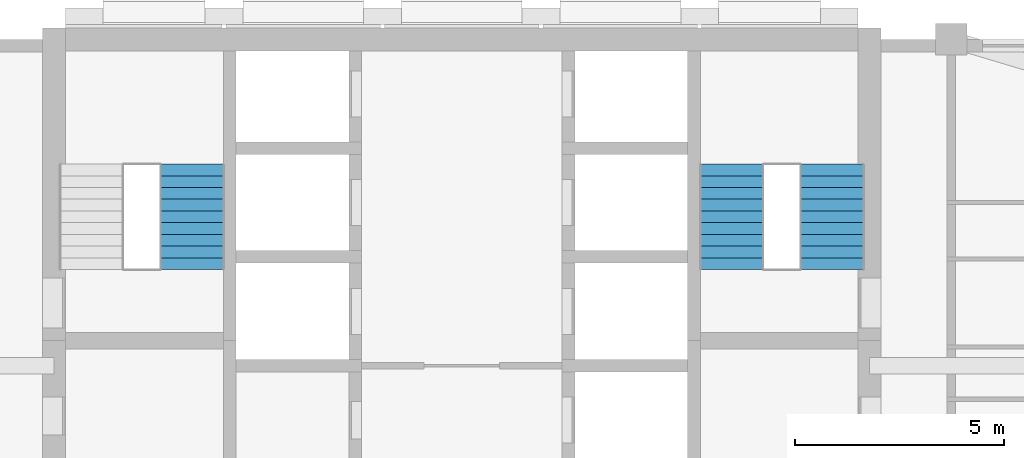
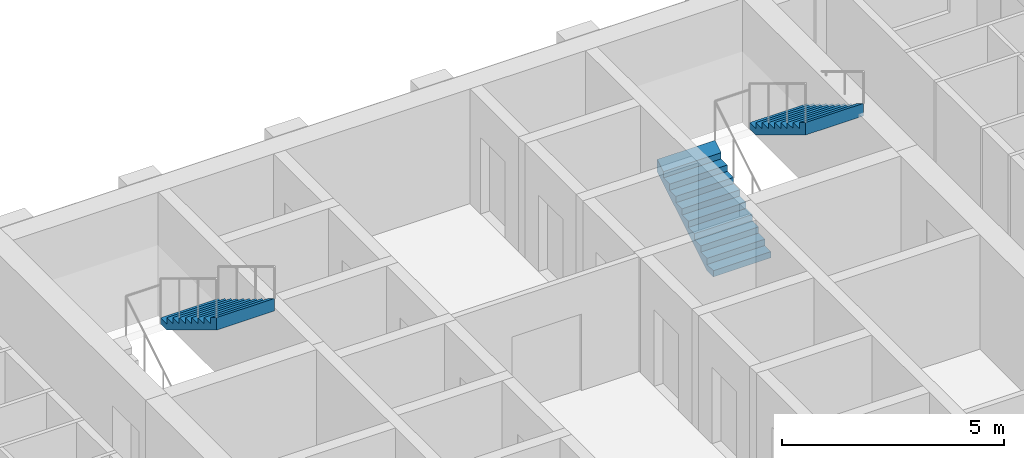
# One storey, part 11 of 13: 3 stair flights, 2 elements without a shape of their own.
"""IFC4 building model written with IfcOpenShell, lengths in metres."""

from ifc_helpers import new_model, si_unit, direction, frame, origin, place, context, subcontext, project, spatial, triangles, material, type_object, element, aggregate, save


model = new_model("IFC4")

# Units and contexts
model_context = context("Model", 3, precision=1e-05, world=origin(), true_north=direction((0.0, 1.0)))
body_context = subcontext(model_context, "Body", "Model", "MODEL_VIEW")
ifc_project = project(units=[si_unit("LENGTHUNIT", "METRE"), si_unit("AREAUNIT", "SQUARE_METRE"), si_unit("VOLUMEUNIT", "CUBIC_METRE"), si_unit("PLANEANGLEUNIT", "RADIAN"), si_unit("MASSUNIT", "GRAM", prefix="KILO")], contexts=[model_context])

# Site, building, storey
site_placement = place(None, origin())
site = spatial("IfcSite", under=ifc_project, at=site_placement, CompositionType="ELEMENT")
building_placement = place(site_placement, origin())
building = spatial("IfcBuilding", under=site, at=building_placement, Name="Ludao Terraces", CompositionType="ELEMENT")
storey_placement = place(building_placement, frame((0.0, 0.0, 155.39990234375)))
storey = spatial("IfcBuildingStorey", under=building, at=storey_placement, Name="L42", CompositionType="ELEMENT", Elevation=155.39990234375)

# Stair, stair flight
ifc_material = material(Name="Concrete C40", Category="concrete")
stair_type = type_object("IfcStairType", Name="INT Stair", PredefinedType="HALF_TURN_STAIR", material=ifc_material)
stair_1_placement = place(storey_placement, origin())
stair_1 = element("IfcStair", 1, at=stair_1_placement, inside=storey, type_object=stair_type, Name="EXIT STAIR 1", PredefinedType="HALF_TURN_STAIR")
stair_flight_type = type_object("IfcStairFlightType", Name="INT Stair flight", PredefinedType="STRAIGHT", material=ifc_material)
stair_flight_1_placement = place(storey_placement, frame((78.550048828125, 81.52001953125, 1.7001953125), z_axis=(0.0, 0.0, 1.0), x_axis=(0.0, -1.0, 0.0)))
stair_flight_1 = element("IfcStairFlight", 2, at=stair_flight_1_placement, type_object=stair_flight_type, Name="ST1 flight 2", NumberOfRisers=10, NumberOfTreads=9, PredefinedType="STRAIGHT", RiserHeight=0.17, TreadLength=0.28, context=body_context, shape_type="Tessellation", body=[
    triangles([(0.0, -0.75, 0.0), (0.0, -0.5, 0.0), (0.0, -0.25, 0.0), (0.0, 0.0, 0.0), (0.0, 0.25, 0.0), (0.0, 0.5, 0.0), (0.0, 0.75, 0.0), (0.0, -0.75, 0.169921875), (0.0, -0.5, 0.169921875), (0.0, -0.25, 0.169921875), (0.0, 0.0, 0.169921875), (0.0, 0.25, 0.169921875), (0.0, 0.5, 0.169921875), (0.0, 0.75, 0.169921875), (0.280029296875, -0.75, 0.169921875), (0.280029296875, -0.5, 0.169921875), (0.280029296875, -0.25, 0.169921875), (0.280029296875, 0.0, 0.169921875), (0.280029296875, 0.25, 0.169921875), (0.280029296875, 0.5, 0.169921875), (0.280029296875, 0.75, 0.169921875), (0.280029296875, -0.75, 0.340087890625), (0.280029296875, -0.5, 0.340087890625), (0.280029296875, -0.25, 0.340087890625), (0.280029296875, 0.0, 0.340087890625), (0.280029296875, 0.25, 0.340087890625), (0.280029296875, 0.5, 0.340087890625), (0.280029296875, 0.75, 0.340087890625), (0.56005859375, -0.75, 0.340087890625), (0.56005859375, -0.5, 0.340087890625), (0.56005859375, -0.25, 0.340087890625), (0.56005859375, 0.0, 0.340087890625), (0.56005859375, 0.25, 0.340087890625), (0.56005859375, 0.5, 0.340087890625), (0.56005859375, 0.75, 0.340087890625), (0.56005859375, -0.75, 0.510009765625), (0.56005859375, -0.5, 0.510009765625), (0.56005859375, -0.25, 0.510009765625), (0.56005859375, 0.0, 0.510009765625), (0.56005859375, 0.25, 0.510009765625), (0.56005859375, 0.5, 0.510009765625), (0.56005859375, 0.75, 0.510009765625), (0.840087890625, -0.75, 0.510009765625), (0.840087890625, -0.5, 0.510009765625), (0.840087890625, -0.25, 0.510009765625), (0.840087890625, 0.0, 0.510009765625), (0.840087890625, 0.25, 0.510009765625), (0.840087890625, 0.5, 0.510009765625), (0.840087890625, 0.75, 0.510009765625), (0.840087890625, -0.75, 0.679931640625), (0.840087890625, -0.5, 0.679931640625), (0.840087890625, -0.25, 0.679931640625), (0.840087890625, 0.0, 0.679931640625), (0.840087890625, 0.25, 0.679931640625), (0.840087890625, 0.5, 0.679931640625), (0.840087890625, 0.75, 0.679931640625), (1.1201171875, -0.75, 0.679931640625), (1.1201171875, -0.5, 0.679931640625), (1.1201171875, -0.25, 0.679931640625), (1.1201171875, 0.0, 0.679931640625), (1.1201171875, 0.25, 0.679931640625), (1.1201171875, 0.5, 0.679931640625), (1.1201171875, 0.75, 0.679931640625), (1.1201171875, -0.75, 0.85009765625), (1.1201171875, -0.5, 0.85009765625), (1.1201171875, -0.25, 0.85009765625), (1.1201171875, 0.0, 0.85009765625), (1.1201171875, 0.25, 0.85009765625), (1.1201171875, 0.5, 0.85009765625), (1.1201171875, 0.75, 0.85009765625), (1.39990234375, -0.75, 0.85009765625), (1.39990234375, -0.5, 0.85009765625), (1.39990234375, -0.25, 0.85009765625), (1.39990234375, 0.0, 0.85009765625), (1.39990234375, 0.25, 0.85009765625), (1.39990234375, 0.5, 0.85009765625), (1.39990234375, 0.75, 0.85009765625), (1.39990234375, -0.75, 1.02001953125), (1.39990234375, -0.5, 1.02001953125), (1.39990234375, -0.25, 1.02001953125), (1.39990234375, 0.0, 1.02001953125), (1.39990234375, 0.25, 1.02001953125), (1.39990234375, 0.5, 1.02001953125), (1.39990234375, 0.75, 1.02001953125), (1.679931640625, -0.75, 1.02001953125), (1.679931640625, -0.5, 1.02001953125), (1.679931640625, -0.25, 1.02001953125), (1.679931640625, 0.0, 1.02001953125), (1.679931640625, 0.25, 1.02001953125), (1.679931640625, 0.5, 1.02001953125), (1.679931640625, 0.75, 1.02001953125), (1.679931640625, -0.75, 1.18994140625), (1.679931640625, -0.5, 1.18994140625), (1.679931640625, -0.25, 1.18994140625), (1.679931640625, 0.0, 1.18994140625), (1.679931640625, 0.25, 1.18994140625), (1.679931640625, 0.5, 1.18994140625), (1.679931640625, 0.75, 1.18994140625), (1.9599609375, -0.75, 1.18994140625), (1.9599609375, -0.5, 1.18994140625), (1.9599609375, -0.25, 1.18994140625), (1.9599609375, 0.0, 1.18994140625), (1.9599609375, 0.25, 1.18994140625), (1.9599609375, 0.5, 1.18994140625), (1.9599609375, 0.75, 1.18994140625), (1.9599609375, -0.75, 1.360107421875), (1.9599609375, -0.5, 1.360107421875), (1.9599609375, -0.25, 1.360107421875), (1.9599609375, 0.0, 1.360107421875), (1.9599609375, 0.25, 1.360107421875), (1.9599609375, 0.5, 1.360107421875), (1.9599609375, 0.75, 1.360107421875), (2.239990234375, -0.75, 1.360107421875), (2.239990234375, -0.5, 1.360107421875), (2.239990234375, -0.25, 1.360107421875), (2.239990234375, 0.0, 1.360107421875), (2.239990234375, 0.25, 1.360107421875), (2.239990234375, 0.5, 1.360107421875), (2.239990234375, 0.75, 1.360107421875), (2.239990234375, -0.75, 1.530029296875), (2.239990234375, -0.5, 1.530029296875), (2.239990234375, -0.25, 1.530029296875), (2.239990234375, 0.0, 1.530029296875), (2.239990234375, 0.25, 1.530029296875), (2.239990234375, 0.5, 1.530029296875), (2.239990234375, 0.75, 1.530029296875), (2.52001953125, -0.75, 1.699951171875), (2.52001953125, -0.5, 1.699951171875), (2.52001953125, -0.25, 1.699951171875), (2.52001953125, 0.0, 1.699951171875), (2.52001953125, 0.25, 1.699951171875), (2.52001953125, 0.5, 1.699951171875), (2.52001953125, 0.75, 1.699951171875), (2.52001953125, -0.75, 1.354736328125), (2.52001953125, -0.5, 1.354736328125), (2.52001953125, -0.25, 1.354736328125), (2.52001953125, 0.0, 1.354736328125), (2.52001953125, 0.25, 1.354736328125), (2.52001953125, 0.5, 1.354736328125), (2.52001953125, 0.75, 1.354736328125), (0.288818359375, -0.75, 0.0), (0.288818359375, -0.5, 0.0), (0.288818359375, -0.25, 0.0), (0.288818359375, 0.0, 0.0), (0.288818359375, 0.25, 0.0), (0.288818359375, 0.5, 0.0), (0.288818359375, 0.75, 0.0)], [[1, 141, 134], [7, 140, 147], [134, 127, 120], [140, 126, 133], [134, 120, 113], [140, 119, 126], [134, 113, 106], [140, 112, 119], [134, 106, 99], [140, 105, 112], [99, 92, 85], [105, 91, 98], [134, 99, 85], [140, 91, 105], [85, 78, 71], [91, 77, 84], [134, 85, 71], [140, 77, 91], [71, 64, 57], [77, 63, 70], [134, 71, 57], [140, 63, 77], [57, 50, 43], [63, 49, 56], [134, 57, 43], [140, 49, 63], [43, 36, 29], [49, 35, 42], [134, 43, 29], [140, 35, 49], [29, 22, 15], [35, 21, 28], [134, 29, 15], [140, 21, 35], [1, 134, 15], [7, 21, 140], [15, 8, 1], [21, 7, 14], [1, 9, 2], [1, 8, 9], [2, 10, 3], [2, 9, 10], [3, 11, 4], [3, 10, 11], [4, 12, 5], [4, 11, 12], [5, 13, 6], [5, 12, 13], [6, 14, 7], [6, 13, 14], [8, 16, 9], [8, 15, 16], [9, 17, 10], [9, 16, 17], [10, 18, 11], [10, 17, 18], [11, 19, 12], [11, 18, 19], [12, 20, 13], [12, 19, 20], [13, 21, 14], [13, 20, 21], [15, 23, 16], [15, 22, 23], [16, 24, 17], [16, 23, 24], [17, 25, 18], [17, 24, 25], [18, 26, 19], [18, 25, 26], [19, 27, 20], [19, 26, 27], [20, 28, 21], [20, 27, 28], [22, 30, 23], [22, 29, 30], [23, 31, 24], [23, 30, 31], [24, 32, 25], [24, 31, 32], [25, 33, 26], [25, 32, 33], [26, 34, 27], [26, 33, 34], [27, 35, 28], [27, 34, 35], [29, 37, 30], [29, 36, 37], [30, 38, 31], [30, 37, 38], [31, 39, 32], [31, 38, 39], [32, 40, 33], [32, 39, 40], [33, 41, 34], [33, 40, 41], [34, 42, 35], [34, 41, 42], [36, 44, 37], [36, 43, 44], [37, 45, 38], [37, 44, 45], [38, 46, 39], [38, 45, 46], [39, 47, 40], [39, 46, 47], [40, 48, 41], [40, 47, 48], [41, 49, 42], [41, 48, 49], [43, 51, 44], [43, 50, 51], [44, 52, 45], [44, 51, 52], [45, 53, 46], [45, 52, 53], [46, 54, 47], [46, 53, 54], [47, 55, 48], [47, 54, 55], [48, 56, 49], [48, 55, 56], [50, 58, 51], [50, 57, 58], [51, 59, 52], [51, 58, 59], [52, 60, 53], [52, 59, 60], [53, 61, 54], [53, 60, 61], [54, 62, 55], [54, 61, 62], [55, 63, 56], [55, 62, 63], [57, 65, 58], [57, 64, 65], [58, 66, 59], [58, 65, 66], [59, 67, 60], [59, 66, 67], [60, 68, 61], [60, 67, 68], [61, 69, 62], [61, 68, 69], [62, 70, 63], [62, 69, 70], [64, 72, 65], [64, 71, 72], [65, 73, 66], [65, 72, 73], [66, 74, 67], [66, 73, 74], [67, 75, 68], [67, 74, 75], [68, 76, 69], [68, 75, 76], [69, 77, 70], [69, 76, 77], [71, 79, 72], [71, 78, 79], [72, 80, 73], [72, 79, 80], [73, 81, 74], [73, 80, 81], [74, 82, 75], [74, 81, 82], [75, 83, 76], [75, 82, 83], [76, 84, 77], [76, 83, 84], [78, 86, 79], [78, 85, 86], [79, 87, 80], [79, 86, 87], [80, 88, 81], [80, 87, 88], [81, 89, 82], [81, 88, 89], [82, 90, 83], [82, 89, 90], [83, 91, 84], [83, 90, 91], [85, 93, 86], [85, 92, 93], [86, 94, 87], [86, 93, 94], [87, 95, 88], [87, 94, 95], [88, 96, 89], [88, 95, 96], [89, 97, 90], [89, 96, 97], [90, 98, 91], [90, 97, 98], [92, 100, 93], [92, 99, 100], [93, 101, 94], [93, 100, 101], [94, 102, 95], [94, 101, 102], [95, 103, 96], [95, 102, 103], [96, 104, 97], [96, 103, 104], [97, 105, 98], [97, 104, 105], [99, 107, 100], [99, 106, 107], [100, 108, 101], [100, 107, 108], [101, 109, 102], [101, 108, 109], [102, 110, 103], [102, 109, 110], [103, 111, 104], [103, 110, 111], [104, 112, 105], [104, 111, 112], [106, 114, 107], [106, 113, 114], [107, 115, 108], [107, 114, 115], [108, 116, 109], [108, 115, 116], [109, 117, 110], [109, 116, 117], [110, 118, 111], [110, 117, 118], [111, 119, 112], [111, 118, 119], [113, 121, 114], [113, 120, 121], [114, 122, 115], [114, 121, 122], [115, 123, 116], [115, 122, 123], [116, 124, 117], [116, 123, 124], [117, 125, 118], [117, 124, 125], [118, 126, 119], [118, 125, 126], [120, 128, 121], [120, 127, 128], [121, 129, 122], [121, 128, 129], [122, 130, 123], [122, 129, 130], [123, 131, 124], [123, 130, 131], [124, 132, 125], [124, 131, 132], [125, 133, 126], [125, 132, 133], [127, 135, 128], [127, 134, 135], [128, 136, 129], [128, 135, 136], [129, 137, 130], [129, 136, 137], [130, 138, 131], [130, 137, 138], [131, 139, 132], [131, 138, 139], [132, 140, 133], [132, 139, 140], [134, 142, 135], [134, 141, 142], [135, 143, 136], [135, 142, 143], [136, 144, 137], [136, 143, 144], [137, 145, 138], [137, 144, 145], [138, 146, 139], [138, 145, 146], [139, 147, 140], [139, 146, 147], [141, 2, 142], [141, 1, 2], [142, 3, 143], [142, 2, 3], [143, 4, 144], [143, 3, 4], [144, 5, 145], [144, 4, 5], [145, 6, 146], [145, 5, 6], [146, 7, 147], [146, 6, 7]], closed=True),
])
aggregate(stair_1, [stair_flight_1])

# Stair, stair flights
stair_2_placement = place(storey_placement, origin())
stair_2 = element("IfcStair", 3, at=stair_2_placement, inside=storey, type_object=stair_type, Name="EXIT STAIR 2", PredefinedType="HALF_TURN_STAIR")
stair_flight_2_placement = place(storey_placement, frame((91.449951171875, 79.0, 0.0), z_axis=(0.0, 0.0, 1.0), x_axis=(0.0, 1.0, 0.0)))
stair_flight_2 = element("IfcStairFlight", 4, at=stair_flight_2_placement, type_object=stair_flight_type, Name="ST2 flight 1", NumberOfRisers=10, NumberOfTreads=9, PredefinedType="STRAIGHT", RiserHeight=0.17, TreadLength=0.28, context=body_context, shape_type="Tessellation", body=[
    triangles([(0.0, -0.75, 0.0), (0.0, -0.5, 0.0), (0.0, -0.25, 0.0), (0.0, 0.0, 0.0), (0.0, 0.25, 0.0), (0.0, 0.5, 0.0), (0.0, 0.75, 0.0), (0.0, -0.75, 0.169921875), (0.0, -0.5, 0.169921875), (0.0, -0.25, 0.169921875), (0.0, 0.0, 0.169921875), (0.0, 0.25, 0.169921875), (0.0, 0.5, 0.169921875), (0.0, 0.75, 0.169921875), (0.280029296875, -0.75, 0.169921875), (0.280029296875, -0.5, 0.169921875), (0.280029296875, -0.25, 0.169921875), (0.280029296875, 0.0, 0.169921875), (0.280029296875, 0.25, 0.169921875), (0.280029296875, 0.5, 0.169921875), (0.280029296875, 0.75, 0.169921875), (0.280029296875, -0.75, 0.340087890625), (0.280029296875, -0.5, 0.340087890625), (0.280029296875, -0.25, 0.340087890625), (0.280029296875, 0.0, 0.340087890625), (0.280029296875, 0.25, 0.340087890625), (0.280029296875, 0.5, 0.340087890625), (0.280029296875, 0.75, 0.340087890625), (0.56005859375, -0.75, 0.340087890625), (0.56005859375, -0.5, 0.340087890625), (0.56005859375, -0.25, 0.340087890625), (0.56005859375, 0.0, 0.340087890625), (0.56005859375, 0.25, 0.340087890625), (0.56005859375, 0.5, 0.340087890625), (0.56005859375, 0.75, 0.340087890625), (0.56005859375, -0.75, 0.510009765625), (0.56005859375, -0.5, 0.510009765625), (0.56005859375, -0.25, 0.510009765625), (0.56005859375, 0.0, 0.510009765625), (0.56005859375, 0.25, 0.510009765625), (0.56005859375, 0.5, 0.510009765625), (0.56005859375, 0.75, 0.510009765625), (0.840087890625, -0.75, 0.510009765625), (0.840087890625, -0.5, 0.510009765625), (0.840087890625, -0.25, 0.510009765625), (0.840087890625, 0.0, 0.510009765625), (0.840087890625, 0.25, 0.510009765625), (0.840087890625, 0.5, 0.510009765625), (0.840087890625, 0.75, 0.510009765625), (0.840087890625, -0.75, 0.679931640625), (0.840087890625, -0.5, 0.679931640625), (0.840087890625, -0.25, 0.679931640625), (0.840087890625, 0.0, 0.679931640625), (0.840087890625, 0.25, 0.679931640625), (0.840087890625, 0.5, 0.679931640625), (0.840087890625, 0.75, 0.679931640625), (1.1201171875, -0.75, 0.679931640625), (1.1201171875, -0.5, 0.679931640625), (1.1201171875, -0.25, 0.679931640625), (1.1201171875, 0.0, 0.679931640625), (1.1201171875, 0.25, 0.679931640625), (1.1201171875, 0.5, 0.679931640625), (1.1201171875, 0.75, 0.679931640625), (1.1201171875, -0.75, 0.85009765625), (1.1201171875, -0.5, 0.85009765625), (1.1201171875, -0.25, 0.85009765625), (1.1201171875, 0.0, 0.85009765625), (1.1201171875, 0.25, 0.85009765625), (1.1201171875, 0.5, 0.85009765625), (1.1201171875, 0.75, 0.85009765625), (1.39990234375, -0.75, 0.85009765625), (1.39990234375, -0.5, 0.85009765625), (1.39990234375, -0.25, 0.85009765625), (1.39990234375, 0.0, 0.85009765625), (1.39990234375, 0.25, 0.85009765625), (1.39990234375, 0.5, 0.85009765625), (1.39990234375, 0.75, 0.85009765625), (1.39990234375, -0.75, 1.02001953125), (1.39990234375, -0.5, 1.02001953125), (1.39990234375, -0.25, 1.02001953125), (1.39990234375, 0.0, 1.02001953125), (1.39990234375, 0.25, 1.02001953125), (1.39990234375, 0.5, 1.02001953125), (1.39990234375, 0.75, 1.02001953125), (1.679931640625, -0.75, 1.02001953125), (1.679931640625, -0.5, 1.02001953125), (1.679931640625, -0.25, 1.02001953125), (1.679931640625, 0.0, 1.02001953125), (1.679931640625, 0.25, 1.02001953125), (1.679931640625, 0.5, 1.02001953125), (1.679931640625, 0.75, 1.02001953125), (1.679931640625, -0.75, 1.18994140625), (1.679931640625, -0.5, 1.18994140625), (1.679931640625, -0.25, 1.18994140625), (1.679931640625, 0.0, 1.18994140625), (1.679931640625, 0.25, 1.18994140625), (1.679931640625, 0.5, 1.18994140625), (1.679931640625, 0.75, 1.18994140625), (1.9599609375, -0.75, 1.18994140625), (1.9599609375, -0.5, 1.18994140625), (1.9599609375, -0.25, 1.18994140625), (1.9599609375, 0.0, 1.18994140625), (1.9599609375, 0.25, 1.18994140625), (1.9599609375, 0.5, 1.18994140625), (1.9599609375, 0.75, 1.18994140625), (1.9599609375, -0.75, 1.360107421875), (1.9599609375, -0.5, 1.360107421875), (1.9599609375, -0.25, 1.360107421875), (1.9599609375, 0.0, 1.360107421875), (1.9599609375, 0.25, 1.360107421875), (1.9599609375, 0.5, 1.360107421875), (1.9599609375, 0.75, 1.360107421875), (2.239990234375, -0.75, 1.360107421875), (2.239990234375, -0.5, 1.360107421875), (2.239990234375, -0.25, 1.360107421875), (2.239990234375, 0.0, 1.360107421875), (2.239990234375, 0.25, 1.360107421875), (2.239990234375, 0.5, 1.360107421875), (2.239990234375, 0.75, 1.360107421875), (2.239990234375, -0.75, 1.530029296875), (2.239990234375, -0.5, 1.530029296875), (2.239990234375, -0.25, 1.530029296875), (2.239990234375, 0.0, 1.530029296875), (2.239990234375, 0.25, 1.530029296875), (2.239990234375, 0.5, 1.530029296875), (2.239990234375, 0.75, 1.530029296875), (2.52001953125, -0.75, 1.699951171875), (2.52001953125, -0.5, 1.699951171875), (2.52001953125, -0.25, 1.699951171875), (2.52001953125, 0.0, 1.699951171875), (2.52001953125, 0.25, 1.699951171875), (2.52001953125, 0.5, 1.699951171875), (2.52001953125, 0.75, 1.699951171875), (2.52001953125, -0.75, 1.354736328125), (2.52001953125, -0.5, 1.354736328125), (2.52001953125, -0.25, 1.354736328125), (2.52001953125, 0.0, 1.354736328125), (2.52001953125, 0.25, 1.354736328125), (2.52001953125, 0.5, 1.354736328125), (2.52001953125, 0.75, 1.354736328125), (0.288818359375, -0.75, 0.0), (0.288818359375, -0.5, 0.0), (0.288818359375, -0.25, 0.0), (0.288818359375, 0.0, 0.0), (0.288818359375, 0.25, 0.0), (0.288818359375, 0.5, 0.0), (0.288818359375, 0.75, 0.0)], [[1, 141, 134], [7, 140, 147], [134, 127, 120], [140, 126, 133], [134, 120, 113], [140, 119, 126], [134, 113, 106], [140, 112, 119], [134, 106, 99], [140, 105, 112], [99, 92, 85], [105, 91, 98], [134, 99, 85], [140, 91, 105], [85, 78, 71], [91, 77, 84], [134, 85, 71], [140, 77, 91], [71, 64, 57], [77, 63, 70], [134, 71, 57], [140, 63, 77], [57, 50, 43], [63, 49, 56], [134, 57, 43], [140, 49, 63], [43, 36, 29], [49, 35, 42], [134, 43, 29], [140, 35, 49], [29, 22, 15], [35, 21, 28], [134, 29, 15], [140, 21, 35], [1, 134, 15], [7, 21, 140], [15, 8, 1], [21, 7, 14], [1, 9, 2], [1, 8, 9], [2, 10, 3], [2, 9, 10], [3, 11, 4], [3, 10, 11], [4, 12, 5], [4, 11, 12], [5, 13, 6], [5, 12, 13], [6, 14, 7], [6, 13, 14], [8, 16, 9], [8, 15, 16], [9, 17, 10], [9, 16, 17], [10, 18, 11], [10, 17, 18], [11, 19, 12], [11, 18, 19], [12, 20, 13], [12, 19, 20], [13, 21, 14], [13, 20, 21], [15, 23, 16], [15, 22, 23], [16, 24, 17], [16, 23, 24], [17, 25, 18], [17, 24, 25], [18, 26, 19], [18, 25, 26], [19, 27, 20], [19, 26, 27], [20, 28, 21], [20, 27, 28], [22, 30, 23], [22, 29, 30], [23, 31, 24], [23, 30, 31], [24, 32, 25], [24, 31, 32], [25, 33, 26], [25, 32, 33], [26, 34, 27], [26, 33, 34], [27, 35, 28], [27, 34, 35], [29, 37, 30], [29, 36, 37], [30, 38, 31], [30, 37, 38], [31, 39, 32], [31, 38, 39], [32, 40, 33], [32, 39, 40], [33, 41, 34], [33, 40, 41], [34, 42, 35], [34, 41, 42], [36, 44, 37], [36, 43, 44], [37, 45, 38], [37, 44, 45], [38, 46, 39], [38, 45, 46], [39, 47, 40], [39, 46, 47], [40, 48, 41], [40, 47, 48], [41, 49, 42], [41, 48, 49], [43, 51, 44], [43, 50, 51], [44, 52, 45], [44, 51, 52], [45, 53, 46], [45, 52, 53], [46, 54, 47], [46, 53, 54], [47, 55, 48], [47, 54, 55], [48, 56, 49], [48, 55, 56], [50, 58, 51], [50, 57, 58], [51, 59, 52], [51, 58, 59], [52, 60, 53], [52, 59, 60], [53, 61, 54], [53, 60, 61], [54, 62, 55], [54, 61, 62], [55, 63, 56], [55, 62, 63], [57, 65, 58], [57, 64, 65], [58, 66, 59], [58, 65, 66], [59, 67, 60], [59, 66, 67], [60, 68, 61], [60, 67, 68], [61, 69, 62], [61, 68, 69], [62, 70, 63], [62, 69, 70], [64, 72, 65], [64, 71, 72], [65, 73, 66], [65, 72, 73], [66, 74, 67], [66, 73, 74], [67, 75, 68], [67, 74, 75], [68, 76, 69], [68, 75, 76], [69, 77, 70], [69, 76, 77], [71, 79, 72], [71, 78, 79], [72, 80, 73], [72, 79, 80], [73, 81, 74], [73, 80, 81], [74, 82, 75], [74, 81, 82], [75, 83, 76], [75, 82, 83], [76, 84, 77], [76, 83, 84], [78, 86, 79], [78, 85, 86], [79, 87, 80], [79, 86, 87], [80, 88, 81], [80, 87, 88], [81, 89, 82], [81, 88, 89], [82, 90, 83], [82, 89, 90], [83, 91, 84], [83, 90, 91], [85, 93, 86], [85, 92, 93], [86, 94, 87], [86, 93, 94], [87, 95, 88], [87, 94, 95], [88, 96, 89], [88, 95, 96], [89, 97, 90], [89, 96, 97], [90, 98, 91], [90, 97, 98], [92, 100, 93], [92, 99, 100], [93, 101, 94], [93, 100, 101], [94, 102, 95], [94, 101, 102], [95, 103, 96], [95, 102, 103], [96, 104, 97], [96, 103, 104], [97, 105, 98], [97, 104, 105], [99, 107, 100], [99, 106, 107], [100, 108, 101], [100, 107, 108], [101, 109, 102], [101, 108, 109], [102, 110, 103], [102, 109, 110], [103, 111, 104], [103, 110, 111], [104, 112, 105], [104, 111, 112], [106, 114, 107], [106, 113, 114], [107, 115, 108], [107, 114, 115], [108, 116, 109], [108, 115, 116], [109, 117, 110], [109, 116, 117], [110, 118, 111], [110, 117, 118], [111, 119, 112], [111, 118, 119], [113, 121, 114], [113, 120, 121], [114, 122, 115], [114, 121, 122], [115, 123, 116], [115, 122, 123], [116, 124, 117], [116, 123, 124], [117, 125, 118], [117, 124, 125], [118, 126, 119], [118, 125, 126], [120, 128, 121], [120, 127, 128], [121, 129, 122], [121, 128, 129], [122, 130, 123], [122, 129, 130], [123, 131, 124], [123, 130, 131], [124, 132, 125], [124, 131, 132], [125, 133, 126], [125, 132, 133], [127, 135, 128], [127, 134, 135], [128, 136, 129], [128, 135, 136], [129, 137, 130], [129, 136, 137], [130, 138, 131], [130, 137, 138], [131, 139, 132], [131, 138, 139], [132, 140, 133], [132, 139, 140], [134, 142, 135], [134, 141, 142], [135, 143, 136], [135, 142, 143], [136, 144, 137], [136, 143, 144], [137, 145, 138], [137, 144, 145], [138, 146, 139], [138, 145, 146], [139, 147, 140], [139, 146, 147], [141, 2, 142], [141, 1, 2], [142, 3, 143], [142, 2, 3], [143, 4, 144], [143, 3, 4], [144, 5, 145], [144, 4, 5], [145, 6, 146], [145, 5, 6], [146, 7, 147], [146, 6, 7]], closed=True),
])
stair_flight_3_placement = place(storey_placement, frame((93.85009765625, 81.52001953125, 1.7001953125), z_axis=(0.0, 0.0, 1.0), x_axis=(0.0, -1.0, 0.0)))
stair_flight_3 = element("IfcStairFlight", 5, at=stair_flight_3_placement, type_object=stair_flight_type, Name="ST2 flight 2", NumberOfRisers=10, NumberOfTreads=9, PredefinedType="STRAIGHT", RiserHeight=0.17, TreadLength=0.28, context=body_context, shape_type="Tessellation", body=[
    triangles([(0.0, -0.75, 0.0), (0.0, -0.5, 0.0), (0.0, -0.25, 0.0), (0.0, 0.0, 0.0), (0.0, 0.25, 0.0), (0.0, 0.5, 0.0), (0.0, 0.75, 0.0), (0.0, -0.75, 0.169921875), (0.0, -0.5, 0.169921875), (0.0, -0.25, 0.169921875), (0.0, 0.0, 0.169921875), (0.0, 0.25, 0.169921875), (0.0, 0.5, 0.169921875), (0.0, 0.75, 0.169921875), (0.280029296875, -0.75, 0.169921875), (0.280029296875, -0.5, 0.169921875), (0.280029296875, -0.25, 0.169921875), (0.280029296875, 0.0, 0.169921875), (0.280029296875, 0.25, 0.169921875), (0.280029296875, 0.5, 0.169921875), (0.280029296875, 0.75, 0.169921875), (0.280029296875, -0.75, 0.340087890625), (0.280029296875, -0.5, 0.340087890625), (0.280029296875, -0.25, 0.340087890625), (0.280029296875, 0.0, 0.340087890625), (0.280029296875, 0.25, 0.340087890625), (0.280029296875, 0.5, 0.340087890625), (0.280029296875, 0.75, 0.340087890625), (0.56005859375, -0.75, 0.340087890625), (0.56005859375, -0.5, 0.340087890625), (0.56005859375, -0.25, 0.340087890625), (0.56005859375, 0.0, 0.340087890625), (0.56005859375, 0.25, 0.340087890625), (0.56005859375, 0.5, 0.340087890625), (0.56005859375, 0.75, 0.340087890625), (0.56005859375, -0.75, 0.510009765625), (0.56005859375, -0.5, 0.510009765625), (0.56005859375, -0.25, 0.510009765625), (0.56005859375, 0.0, 0.510009765625), (0.56005859375, 0.25, 0.510009765625), (0.56005859375, 0.5, 0.510009765625), (0.56005859375, 0.75, 0.510009765625), (0.840087890625, -0.75, 0.510009765625), (0.840087890625, -0.5, 0.510009765625), (0.840087890625, -0.25, 0.510009765625), (0.840087890625, 0.0, 0.510009765625), (0.840087890625, 0.25, 0.510009765625), (0.840087890625, 0.5, 0.510009765625), (0.840087890625, 0.75, 0.510009765625), (0.840087890625, -0.75, 0.679931640625), (0.840087890625, -0.5, 0.679931640625), (0.840087890625, -0.25, 0.679931640625), (0.840087890625, 0.0, 0.679931640625), (0.840087890625, 0.25, 0.679931640625), (0.840087890625, 0.5, 0.679931640625), (0.840087890625, 0.75, 0.679931640625), (1.1201171875, -0.75, 0.679931640625), (1.1201171875, -0.5, 0.679931640625), (1.1201171875, -0.25, 0.679931640625), (1.1201171875, 0.0, 0.679931640625), (1.1201171875, 0.25, 0.679931640625), (1.1201171875, 0.5, 0.679931640625), (1.1201171875, 0.75, 0.679931640625), (1.1201171875, -0.75, 0.85009765625), (1.1201171875, -0.5, 0.85009765625), (1.1201171875, -0.25, 0.85009765625), (1.1201171875, 0.0, 0.85009765625), (1.1201171875, 0.25, 0.85009765625), (1.1201171875, 0.5, 0.85009765625), (1.1201171875, 0.75, 0.85009765625), (1.39990234375, -0.75, 0.85009765625), (1.39990234375, -0.5, 0.85009765625), (1.39990234375, -0.25, 0.85009765625), (1.39990234375, 0.0, 0.85009765625), (1.39990234375, 0.25, 0.85009765625), (1.39990234375, 0.5, 0.85009765625), (1.39990234375, 0.75, 0.85009765625), (1.39990234375, -0.75, 1.02001953125), (1.39990234375, -0.5, 1.02001953125), (1.39990234375, -0.25, 1.02001953125), (1.39990234375, 0.0, 1.02001953125), (1.39990234375, 0.25, 1.02001953125), (1.39990234375, 0.5, 1.02001953125), (1.39990234375, 0.75, 1.02001953125), (1.679931640625, -0.75, 1.02001953125), (1.679931640625, -0.5, 1.02001953125), (1.679931640625, -0.25, 1.02001953125), (1.679931640625, 0.0, 1.02001953125), (1.679931640625, 0.25, 1.02001953125), (1.679931640625, 0.5, 1.02001953125), (1.679931640625, 0.75, 1.02001953125), (1.679931640625, -0.75, 1.18994140625), (1.679931640625, -0.5, 1.18994140625), (1.679931640625, -0.25, 1.18994140625), (1.679931640625, 0.0, 1.18994140625), (1.679931640625, 0.25, 1.18994140625), (1.679931640625, 0.5, 1.18994140625), (1.679931640625, 0.75, 1.18994140625), (1.9599609375, -0.75, 1.18994140625), (1.9599609375, -0.5, 1.18994140625), (1.9599609375, -0.25, 1.18994140625), (1.9599609375, 0.0, 1.18994140625), (1.9599609375, 0.25, 1.18994140625), (1.9599609375, 0.5, 1.18994140625), (1.9599609375, 0.75, 1.18994140625), (1.9599609375, -0.75, 1.360107421875), (1.9599609375, -0.5, 1.360107421875), (1.9599609375, -0.25, 1.360107421875), (1.9599609375, 0.0, 1.360107421875), (1.9599609375, 0.25, 1.360107421875), (1.9599609375, 0.5, 1.360107421875), (1.9599609375, 0.75, 1.360107421875), (2.239990234375, -0.75, 1.360107421875), (2.239990234375, -0.5, 1.360107421875), (2.239990234375, -0.25, 1.360107421875), (2.239990234375, 0.0, 1.360107421875), (2.239990234375, 0.25, 1.360107421875), (2.239990234375, 0.5, 1.360107421875), (2.239990234375, 0.75, 1.360107421875), (2.239990234375, -0.75, 1.530029296875), (2.239990234375, -0.5, 1.530029296875), (2.239990234375, -0.25, 1.530029296875), (2.239990234375, 0.0, 1.530029296875), (2.239990234375, 0.25, 1.530029296875), (2.239990234375, 0.5, 1.530029296875), (2.239990234375, 0.75, 1.530029296875), (2.52001953125, -0.75, 1.699951171875), (2.52001953125, -0.5, 1.699951171875), (2.52001953125, -0.25, 1.699951171875), (2.52001953125, 0.0, 1.699951171875), (2.52001953125, 0.25, 1.699951171875), (2.52001953125, 0.5, 1.699951171875), (2.52001953125, 0.75, 1.699951171875), (2.52001953125, -0.75, 1.354736328125), (2.52001953125, -0.5, 1.354736328125), (2.52001953125, -0.25, 1.354736328125), (2.52001953125, 0.0, 1.354736328125), (2.52001953125, 0.25, 1.354736328125), (2.52001953125, 0.5, 1.354736328125), (2.52001953125, 0.75, 1.354736328125), (0.288818359375, -0.75, 0.0), (0.288818359375, -0.5, 0.0), (0.288818359375, -0.25, 0.0), (0.288818359375, 0.0, 0.0), (0.288818359375, 0.25, 0.0), (0.288818359375, 0.5, 0.0), (0.288818359375, 0.75, 0.0)], [[1, 141, 134], [7, 140, 147], [134, 127, 120], [140, 126, 133], [134, 120, 113], [140, 119, 126], [134, 113, 106], [140, 112, 119], [134, 106, 99], [140, 105, 112], [99, 92, 85], [105, 91, 98], [134, 99, 85], [140, 91, 105], [85, 78, 71], [91, 77, 84], [134, 85, 71], [140, 77, 91], [71, 64, 57], [77, 63, 70], [134, 71, 57], [140, 63, 77], [57, 50, 43], [63, 49, 56], [134, 57, 43], [140, 49, 63], [43, 36, 29], [49, 35, 42], [134, 43, 29], [140, 35, 49], [29, 22, 15], [35, 21, 28], [134, 29, 15], [140, 21, 35], [1, 134, 15], [7, 21, 140], [15, 8, 1], [21, 7, 14], [1, 9, 2], [1, 8, 9], [2, 10, 3], [2, 9, 10], [3, 11, 4], [3, 10, 11], [4, 12, 5], [4, 11, 12], [5, 13, 6], [5, 12, 13], [6, 14, 7], [6, 13, 14], [8, 16, 9], [8, 15, 16], [9, 17, 10], [9, 16, 17], [10, 18, 11], [10, 17, 18], [11, 19, 12], [11, 18, 19], [12, 20, 13], [12, 19, 20], [13, 21, 14], [13, 20, 21], [15, 23, 16], [15, 22, 23], [16, 24, 17], [16, 23, 24], [17, 25, 18], [17, 24, 25], [18, 26, 19], [18, 25, 26], [19, 27, 20], [19, 26, 27], [20, 28, 21], [20, 27, 28], [22, 30, 23], [22, 29, 30], [23, 31, 24], [23, 30, 31], [24, 32, 25], [24, 31, 32], [25, 33, 26], [25, 32, 33], [26, 34, 27], [26, 33, 34], [27, 35, 28], [27, 34, 35], [29, 37, 30], [29, 36, 37], [30, 38, 31], [30, 37, 38], [31, 39, 32], [31, 38, 39], [32, 40, 33], [32, 39, 40], [33, 41, 34], [33, 40, 41], [34, 42, 35], [34, 41, 42], [36, 44, 37], [36, 43, 44], [37, 45, 38], [37, 44, 45], [38, 46, 39], [38, 45, 46], [39, 47, 40], [39, 46, 47], [40, 48, 41], [40, 47, 48], [41, 49, 42], [41, 48, 49], [43, 51, 44], [43, 50, 51], [44, 52, 45], [44, 51, 52], [45, 53, 46], [45, 52, 53], [46, 54, 47], [46, 53, 54], [47, 55, 48], [47, 54, 55], [48, 56, 49], [48, 55, 56], [50, 58, 51], [50, 57, 58], [51, 59, 52], [51, 58, 59], [52, 60, 53], [52, 59, 60], [53, 61, 54], [53, 60, 61], [54, 62, 55], [54, 61, 62], [55, 63, 56], [55, 62, 63], [57, 65, 58], [57, 64, 65], [58, 66, 59], [58, 65, 66], [59, 67, 60], [59, 66, 67], [60, 68, 61], [60, 67, 68], [61, 69, 62], [61, 68, 69], [62, 70, 63], [62, 69, 70], [64, 72, 65], [64, 71, 72], [65, 73, 66], [65, 72, 73], [66, 74, 67], [66, 73, 74], [67, 75, 68], [67, 74, 75], [68, 76, 69], [68, 75, 76], [69, 77, 70], [69, 76, 77], [71, 79, 72], [71, 78, 79], [72, 80, 73], [72, 79, 80], [73, 81, 74], [73, 80, 81], [74, 82, 75], [74, 81, 82], [75, 83, 76], [75, 82, 83], [76, 84, 77], [76, 83, 84], [78, 86, 79], [78, 85, 86], [79, 87, 80], [79, 86, 87], [80, 88, 81], [80, 87, 88], [81, 89, 82], [81, 88, 89], [82, 90, 83], [82, 89, 90], [83, 91, 84], [83, 90, 91], [85, 93, 86], [85, 92, 93], [86, 94, 87], [86, 93, 94], [87, 95, 88], [87, 94, 95], [88, 96, 89], [88, 95, 96], [89, 97, 90], [89, 96, 97], [90, 98, 91], [90, 97, 98], [92, 100, 93], [92, 99, 100], [93, 101, 94], [93, 100, 101], [94, 102, 95], [94, 101, 102], [95, 103, 96], [95, 102, 103], [96, 104, 97], [96, 103, 104], [97, 105, 98], [97, 104, 105], [99, 107, 100], [99, 106, 107], [100, 108, 101], [100, 107, 108], [101, 109, 102], [101, 108, 109], [102, 110, 103], [102, 109, 110], [103, 111, 104], [103, 110, 111], [104, 112, 105], [104, 111, 112], [106, 114, 107], [106, 113, 114], [107, 115, 108], [107, 114, 115], [108, 116, 109], [108, 115, 116], [109, 117, 110], [109, 116, 117], [110, 118, 111], [110, 117, 118], [111, 119, 112], [111, 118, 119], [113, 121, 114], [113, 120, 121], [114, 122, 115], [114, 121, 122], [115, 123, 116], [115, 122, 123], [116, 124, 117], [116, 123, 124], [117, 125, 118], [117, 124, 125], [118, 126, 119], [118, 125, 126], [120, 128, 121], [120, 127, 128], [121, 129, 122], [121, 128, 129], [122, 130, 123], [122, 129, 130], [123, 131, 124], [123, 130, 131], [124, 132, 125], [124, 131, 132], [125, 133, 126], [125, 132, 133], [127, 135, 128], [127, 134, 135], [128, 136, 129], [128, 135, 136], [129, 137, 130], [129, 136, 137], [130, 138, 131], [130, 137, 138], [131, 139, 132], [131, 138, 139], [132, 140, 133], [132, 139, 140], [134, 142, 135], [134, 141, 142], [135, 143, 136], [135, 142, 143], [136, 144, 137], [136, 143, 144], [137, 145, 138], [137, 144, 145], [138, 146, 139], [138, 145, 146], [139, 147, 140], [139, 146, 147], [141, 2, 142], [141, 1, 2], [142, 3, 143], [142, 2, 3], [143, 4, 144], [143, 3, 4], [144, 5, 145], [144, 4, 5], [145, 6, 146], [145, 5, 6], [146, 7, 147], [146, 6, 7]], closed=True),
])
aggregate(stair_2, [stair_flight_2, stair_flight_3])

save(model, "model.ifc")
